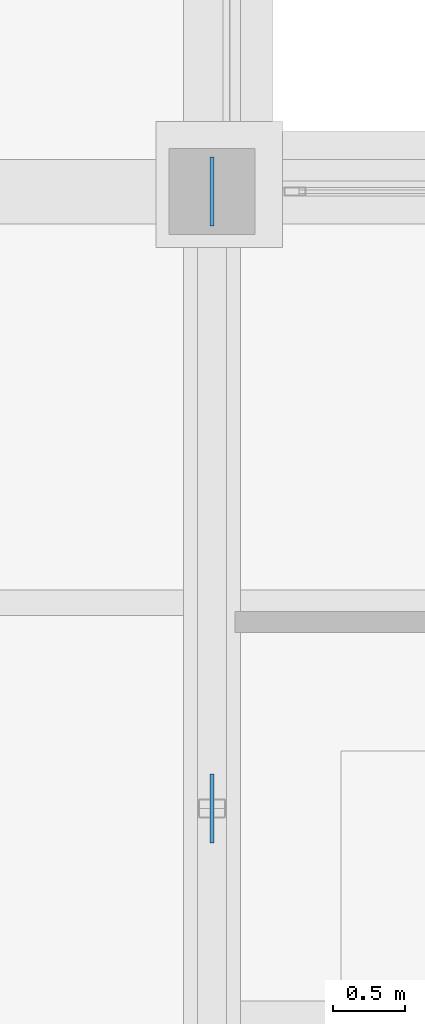
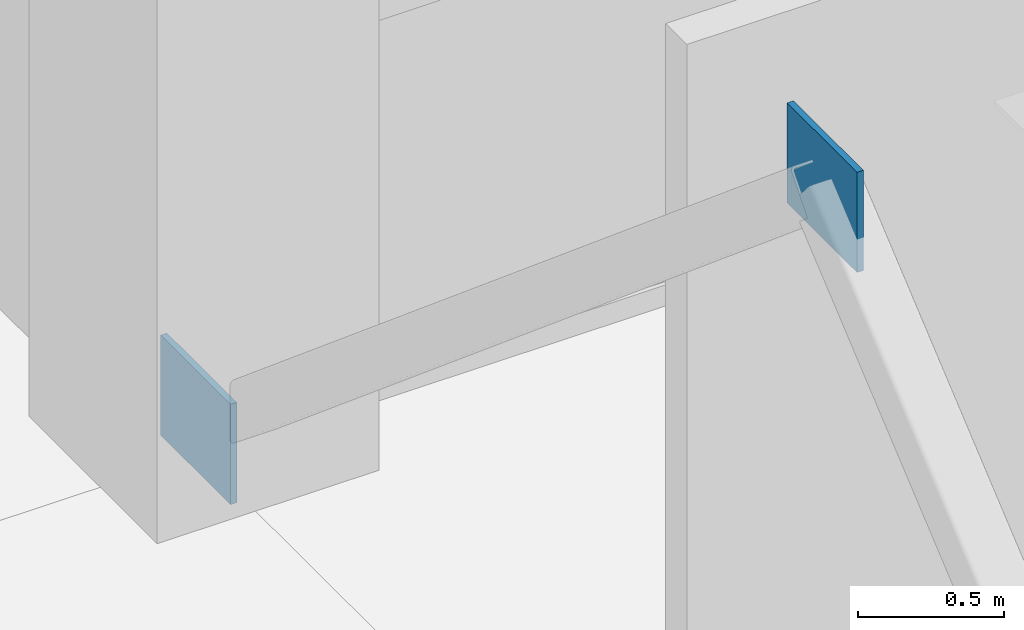
# One storey, part 92 of 120: 2 plates.
"""IFC4 building model written with IfcOpenShell, lengths in metres."""

from ifc_helpers import new_model, si_unit, direction, frame, origin, origin_2d, place, context, subcontext, project, spatial, rectangle, extrude, material, layer, layer_set, type_object, element, save


model = new_model("IFC4")

# Units and contexts
model_context = context("Model", 3, precision=1e-05, world=origin(), true_north=direction((0.0, 1.0)))
body_context = subcontext(model_context, "Body", "Model", "MODEL_VIEW")
ifc_project = project(units=[si_unit("LENGTHUNIT", "METRE"), si_unit("AREAUNIT", "SQUARE_METRE"), si_unit("VOLUMEUNIT", "CUBIC_METRE"), si_unit("PLANEANGLEUNIT", "RADIAN"), si_unit("MASSUNIT", "GRAM", prefix="KILO")], contexts=[model_context])

# Site, building, storey
site_placement = place(None, origin())
site = spatial("IfcSite", under=ifc_project, at=site_placement, CompositionType="ELEMENT")
building_placement = place(site_placement, origin())
building = spatial("IfcBuilding", under=site, at=building_placement, Name="Caurita Quay Ferry Terminal", CompositionType="ELEMENT")
storey_placement = place(building_placement, frame((0.0, 0.0, 9.89990234375)))
storey = spatial("IfcBuildingStorey", under=building, at=storey_placement, Name="L02", CompositionType="ELEMENT", Elevation=9.89990234375)

# Plates
ifc_material = material(Name="Structural plate steel ASTM A572 Gr. 50", Category="steel")
ifc_layer_1 = layer(ifc_material, 0.01806640625, Name="Structural steel connection plate 18 mm")
ifc_layer_set_1 = layer_set([ifc_layer_1], Name="Structural plate steel ASTM A572 Gr. 50")
plate_type_1 = type_object("IfcPlateType", Name="PLT-STL-18", PredefinedType="USERDEFINED", material=ifc_layer_set_1)
plate_1_placement = place(storey_placement, frame((22.0, 80.199951171875, -0.059814453125), z_axis=(0.0, 0.0, 1.0), x_axis=(0.0, 1.0, 0.0)))
element("IfcPlate", 1, at=plate_1_placement, inside=storey, type_object=plate_type_1, Name="L02 Seismic Brace Gusset 19-BSR", ObjectType="GUSSET PLATE", PredefinedType="USERDEFINED", context=body_context, shape_type="SweptSolid", body=[
    extrude(rectangle(XDim=0.47998046875, YDim=0.02490234375, at=origin_2d()), origin(), (0.0, 0.0, 1.0), 0.419921875),
])
ifc_layer_2 = layer(ifc_material, 0.02490234375, Name="Structural steel connection plate 25 mm")
ifc_layer_set_2 = layer_set([ifc_layer_2], Name="Structural plate steel ASTM A572 Gr. 50")
plate_type_2 = type_object("IfcPlateType", Name="PLT-STL-25", PredefinedType="USERDEFINED", material=ifc_layer_set_2)
plate_2_placement = place(storey_placement, frame((22.0, 75.89990234375, 3.52001953125), z_axis=(0.0, 0.0, 1.0), x_axis=(0.0, 1.0, 0.0)))
element("IfcPlate", 2, at=plate_2_placement, inside=storey, type_object=plate_type_2, Name="L02 Seismic Brace Gusset 19-APX", ObjectType="GUSSET PLATE", PredefinedType="USERDEFINED", context=body_context, shape_type="SweptSolid", body=[
    extrude(rectangle(XDim=0.47998046875, YDim=0.02490234375, at=origin_2d()), origin(), (0.0, 0.0, 1.0), 0.419921875),
])

save(model, "model.ifc")
